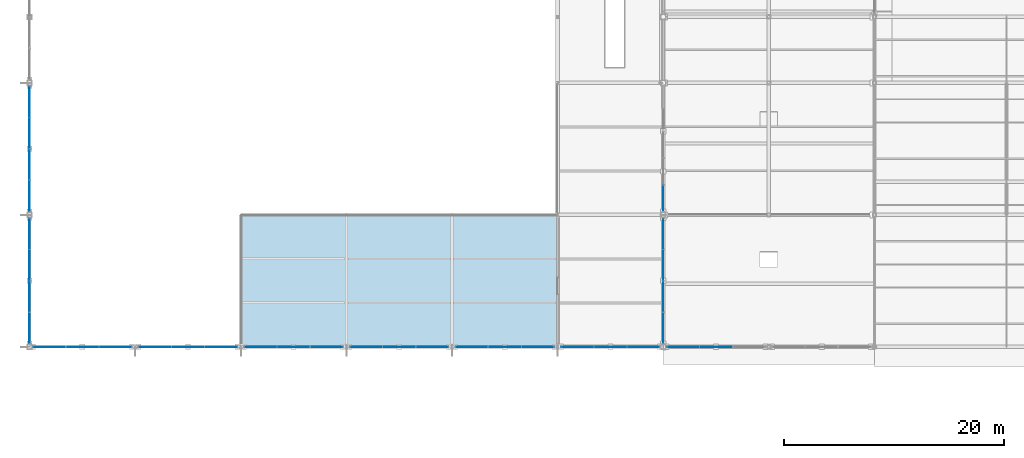
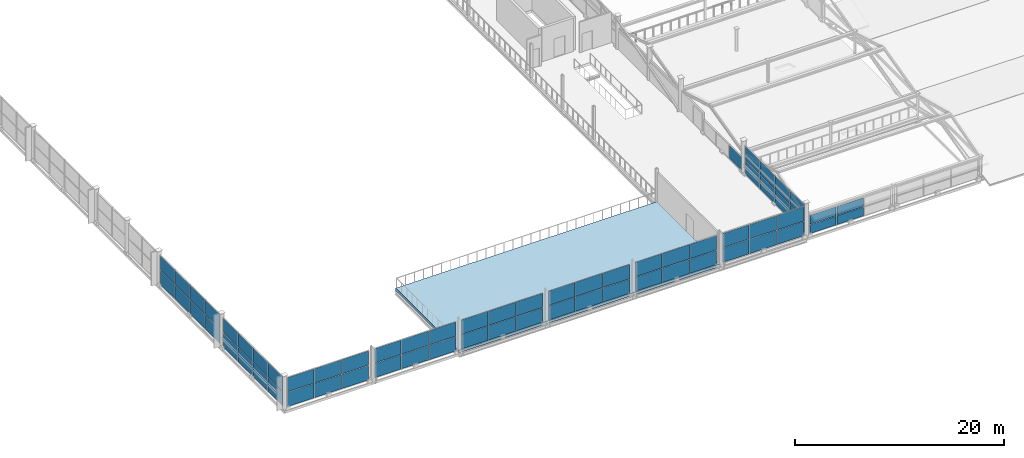
# One storey, part 92 of 117: 65 plates, 1 slab, 11 elements without a shape of their own.
"""IFC4 building model written with IfcOpenShell, lengths in metres."""

import ifcopenshell
import ifcopenshell.guid

model = None  # the IFC model being written
_history = None  # IfcOwnerHistory: only IFC2X3 demands one
_inside = {}  # id of a spatial element -> (the spatial element, [elements in it])
_under = {}  # id of a project, library or spatial element -> (it, [spatial elements below it])
_declared = {}  # id of a project -> (the project, [libraries it declares])
_typed = {}  # id of a type object -> (the type object, [elements of that type])
_made_of = {}  # id of a material, layer set ... -> (it, [elements and type objects made of it])


def new_model(schema):
    """Start an empty IFC model of exactly this schema.

    Asked for "IFC4X3", IfcOpenShell would pick the latest addendum, in which some entities
    have other attributes; the version numbers below select the first issue.
    IFC2X3 requires an IfcOwnerHistory on every rooted entity: one is made here for all.
    """
    global model, _history
    if schema == "IFC4X3":
        model = ifcopenshell.file(schema_version=(4, 3, 0, 0))
    else:
        model = ifcopenshell.file(schema=schema)
    _inside.clear()
    _under.clear()
    _declared.clear()
    _typed.clear()
    _made_of.clear()
    _history = None
    if model.schema == "IFC2X3":
        org = make("IfcOrganization", Name="unknown")
        user = make(
            "IfcPersonAndOrganization",
            ThePerson=make("IfcPerson", FamilyName="unknown"),
            TheOrganization=org,
        )
        app = make(
            "IfcApplication",
            ApplicationDeveloper=org,
            Version="unknown",
            ApplicationFullName="unknown",
            ApplicationIdentifier="unknown",
        )
        _history = make(
            "IfcOwnerHistory",
            OwningUser=user,
            OwningApplication=app,
            ChangeAction="ADDED",
            CreationDate=0,
        )
    return model


def make(cls, **values):
    """One entity of the class cls with the attributes given. An attribute that is None is left unset."""
    return model.create_entity(
        cls, **{name: value for name, value in values.items() if value is not None}
    )


def rooted(cls, **values):
    """An entity with a GlobalId (a new one), such as an element, a storey or a relation."""
    return make(cls, GlobalId=ifcopenshell.guid.new(), OwnerHistory=_history, **values)


def si_unit(unit_type, name, prefix=None):
    """IfcSIUnit, for example si_unit("LENGTHUNIT", "METRE", prefix="MILLI")."""
    return make("IfcSIUnit", UnitType=unit_type, Prefix=prefix, Name=name)


def assignment(units):
    """IfcUnitAssignment: the units of a project."""
    return None if units is None else make("IfcUnitAssignment", Units=units)


def point(xyz):
    """IfcCartesianPoint."""
    return None if xyz is None else make("IfcCartesianPoint", Coordinates=xyz)


def direction(xyz):
    """IfcDirection."""
    return None if xyz is None else make("IfcDirection", DirectionRatios=xyz)


def frame(location, z_axis=None, x_axis=None):
    """IfcAxis2Placement3D, a coordinate frame: its origin and axes. An axis left out is left unset."""
    return make(
        "IfcAxis2Placement3D",
        Location=point(location),
        Axis=direction(z_axis),
        RefDirection=direction(x_axis),
    )


def frame_2d(location, x_axis=None):
    """IfcAxis2Placement2D, a coordinate frame in the plane: its origin and x axis."""
    return make(
        "IfcAxis2Placement2D", Location=point(location), RefDirection=direction(x_axis)
    )


def origin():
    """The frame at (0, 0, 0) with its axes left unset."""
    return frame((0.0, 0.0, 0.0))


def origin_2d():
    """The frame at (0, 0) in the plane with its x axis left unset."""
    return frame_2d((0.0, 0.0))


def place(relative_to, where):
    """IfcLocalPlacement: puts the frame where relative to a parent placement (None: the world)."""
    return make(
        "IfcLocalPlacement", PlacementRelTo=relative_to, RelativePlacement=where
    )


def context(
    kind, dimensions, precision=None, world=None, true_north=None, identifier=None
):
    """IfcGeometricRepresentationContext, for example the 3D "Model" context."""
    return make(
        "IfcGeometricRepresentationContext",
        ContextIdentifier=identifier,
        ContextType=kind,
        CoordinateSpaceDimension=dimensions,
        Precision=precision,
        WorldCoordinateSystem=world,
        TrueNorth=true_north,
    )


def subcontext(parent, identifier, kind, view, scale=None):
    """IfcGeometricRepresentationSubContext, for example "Body" below "Model"."""
    return make(
        "IfcGeometricRepresentationSubContext",
        ContextIdentifier=identifier,
        ContextType=kind,
        ParentContext=parent,
        TargetScale=scale,
        TargetView=view,
    )


def project(units=None, contexts=None):
    """IfcProject with its units and contexts."""
    return rooted(
        "IfcProject",
        Name="project",
        RepresentationContexts=contexts,
        UnitsInContext=assignment(units),
    )


def spatial(cls, under=None, at=None, **own):
    """A site, building, storey or space (cls), placed at a placement, below another one or the project."""
    s = rooted(cls, ObjectPlacement=at, **own)
    if under is not None:
        _under.setdefault(under.id(), (under, []))[1].append(s)
    return s


def polyline(points):
    """IfcPolyline through the points."""
    return make("IfcPolyline", Points=[point(p) for p in points])


def profile(cls, at=None, kind="AREA", **sizes):
    """A parametric profile (cls). Its sizes go by their IFC names, for example OverallWidth=200.0."""
    return make(cls, ProfileType=kind, Position=at, **sizes)


def rectangle(**sizes):
    """IfcRectangleProfileDef."""
    return profile("IfcRectangleProfileDef", **sizes)


def outline(outer, holes=None, kind="AREA"):
    """IfcArbitraryClosedProfileDef: a profile drawn as a closed curve; with holes, ...WithVoids."""
    if holes is None:
        return make("IfcArbitraryClosedProfileDef", ProfileType=kind, OuterCurve=outer)
    return make(
        "IfcArbitraryProfileDefWithVoids",
        ProfileType=kind,
        OuterCurve=outer,
        InnerCurves=holes,
    )


def extrude(swept, where, along, depth):
    """IfcExtrudedAreaSolid: the profile swept, set in the frame where, extruded along a direction by depth."""
    return make(
        "IfcExtrudedAreaSolid",
        SweptArea=swept,
        Position=where,
        ExtrudedDirection=direction(along),
        Depth=depth,
    )


def shape(context_of_items, identifier, shape_type, items):
    """IfcShapeRepresentation: the items that make up one representation, for example the "Body"."""
    return make(
        "IfcShapeRepresentation",
        ContextOfItems=context_of_items,
        RepresentationIdentifier=identifier,
        RepresentationType=shape_type,
        Items=items,
    )


def material(Name=None, Category=None):
    """IfcMaterial."""
    return make("IfcMaterial", Name=Name, Category=Category)


def layer(
    of_material, thickness, ventilated=None, Name=None, Category=None, Priority=None
):
    """IfcMaterialLayer: one layer of a wall or slab, of a material (None: an air gap)."""
    return make(
        "IfcMaterialLayer",
        Material=of_material,
        LayerThickness=thickness,
        IsVentilated=ventilated,
        Name=Name,
        Category=Category,
        Priority=Priority,
    )


def layer_set(layers, Name=None):
    """IfcMaterialLayerSet."""
    return make("IfcMaterialLayerSet", MaterialLayers=layers, LayerSetName=Name)


def made_of(thing, what):
    """Note that an element or type object is made of a material, layer set ...; save() writes the relation."""
    if what is not None:
        _made_of.setdefault(what.id(), (what, []))[1].append(thing)
    return thing


def type_object(cls, material=None, **own):
    """A type object (cls), such as IfcWallType, which elements share."""
    return made_of(rooted(cls, **own), material)


def element(
    cls,
    number,
    at=None,
    inside=None,
    cuts=None,
    type_object=None,
    material=None,
    context=None,
    identifier="Body",
    shape_type=None,
    held_by="IfcProductDefinitionShape",
    body=None,
    shapes=None,
    **own,
):
    """One element of the class cls, such as IfcWall. Its Tag is "e" and its number.

    at: its placement. inside: the storey or other place that contains it. cuts: it is an
    opening in that element (IfcRelVoidsElement). A single representation is given by context,
    identifier, shape_type and body (its items); several are given by shapes. held_by: the class
    of the entity that holds the representations. save() writes the other relations.
    """
    e = rooted(cls, Tag="e%d" % number, ObjectPlacement=at, **own)
    if body is not None:
        shapes = [shape(context, identifier, shape_type, body)]
    if shapes is not None:
        e.Representation = make(held_by, Representations=shapes)
    if inside is not None:
        _inside.setdefault(inside.id(), (inside, []))[1].append(e)
    if cuts is not None:
        rooted(
            "IfcRelVoidsElement", RelatingBuildingElement=cuts, RelatedOpeningElement=e
        )
    if type_object is not None:
        _typed.setdefault(type_object.id(), (type_object, []))[1].append(e)
    return made_of(e, material)


def aggregate(whole, parts):
    """IfcRelAggregates: a whole, such as a stair, and the parts it consists of."""
    return rooted("IfcRelAggregates", RelatingObject=whole, RelatedObjects=parts)


def save(model, path):
    """Write the relations noted so far, then the file.

    IfcRelAggregates (storeys below a building ...), IfcRelContainedInSpatialStructure (elements
    in a storey), IfcRelDefinesByType, IfcRelAssociatesMaterial and IfcRelDeclares: one each for
    every whole, place, type object, material and project.
    """
    for whole, parts in _under.values():
        aggregate(whole, parts)
    for where, things in _inside.values():
        rooted(
            "IfcRelContainedInSpatialStructure",
            RelatedElements=things,
            RelatingStructure=where,
        )
    for kind, things in _typed.values():
        rooted("IfcRelDefinesByType", RelatedObjects=things, RelatingType=kind)
    for what, things in _made_of.values():
        rooted("IfcRelAssociatesMaterial", RelatedObjects=things, RelatingMaterial=what)
    for by, libraries in _declared.values():
        rooted("IfcRelDeclares", RelatingContext=by, RelatedDefinitions=libraries)
    model.write(path)


model = new_model("IFC4")

# Units and contexts
model_context = context("Model", 3, precision=1e-05, world=origin(), true_north=direction((0.0, 1.0)))
body_context = subcontext(model_context, "Body", "Model", "MODEL_VIEW")
ifc_project = project(units=[si_unit("LENGTHUNIT", "METRE"), si_unit("AREAUNIT", "SQUARE_METRE"), si_unit("VOLUMEUNIT", "CUBIC_METRE"), si_unit("PLANEANGLEUNIT", "RADIAN"), si_unit("MASSUNIT", "GRAM", prefix="KILO")], contexts=[model_context])

# Site, building, storey
site_placement = place(None, origin())
site = spatial("IfcSite", under=ifc_project, at=site_placement, CompositionType="ELEMENT")
building_placement = place(site_placement, origin())
building = spatial("IfcBuilding", under=site, at=building_placement, Name="Merenkruunu Market Hall", CompositionType="ELEMENT")
storey_placement = place(building_placement, frame((0.0, 0.0, 10.199951171875)))
storey = spatial("IfcBuildingStorey", under=building, at=storey_placement, Name="L02", CompositionType="ELEMENT", Elevation=10.199951171875)

# Curtain wall, plates
ifc_material_1 = material(Name="Powder-coated aluminium", Category="aluminium")
curtain_wall_type_1 = type_object("IfcCurtainWallType", Name="Glazed Curtain Wall CW13", PredefinedType="USERDEFINED", material=ifc_material_1)
curtain_wall_1_placement = place(storey_placement, origin())
curtain_wall_1 = element("IfcCurtainWall", 1, at=curtain_wall_1_placement, inside=storey, type_object=curtain_wall_type_1, Name="CW-L02-CWM02-003", ObjectType="GLAZED_FACADE", PredefinedType="USERDEFINED")
ifc_material_2 = material(Name="Triple low-E insulated glass", Category="glass")
ifc_layer_1 = layer(ifc_material_2, 0.035888671875)
ifc_layer_set_1 = layer_set([ifc_layer_1], Name="Triple low-E insulated glass")
plate_type_1 = type_object("IfcPlateType", Name="Curtain Wall Glazing Panel CWP05", PredefinedType="CURTAIN_PANEL", material=ifc_layer_set_1)
plate_1_placement = place(storey_placement, frame((0.0, 17.324951171875, 0.06005859375), z_axis=(0.0, 0.0, 1.0), x_axis=(0.0, 1.0, 0.0)))
plate_1 = element("IfcPlate", 2, at=plate_1_placement, type_object=plate_type_1, Name="CW13 panel 1.1", PredefinedType="CURTAIN_PANEL", context=body_context, shape_type="SweptSolid", body=[
    extrude(rectangle(XDim=2.77001953125, YDim=0.035888671875, at=origin_2d()), origin(), (0.0, 0.0, 1.0), 1.659912109375),
])
plate_2_placement = place(storey_placement, frame((0.0, 17.324951171875, 1.7802734375), z_axis=(0.0, 0.0, 1.0), x_axis=(0.0, 1.0, 0.0)))
plate_2 = element("IfcPlate", 3, at=plate_2_placement, type_object=plate_type_1, Name="CW13 panel 1.2", PredefinedType="CURTAIN_PANEL", context=body_context, shape_type="SweptSolid", body=[
    extrude(rectangle(XDim=2.77001953125, YDim=0.035888671875, at=origin_2d()), origin(), (0.0, 0.0, 1.0), 1.659912109375),
])
plate_3_placement = place(storey_placement, frame((0.0, 20.169921875, 0.06005859375), z_axis=(0.0, 0.0, 1.0), x_axis=(0.0, 1.0, 0.0)))
plate_3 = element("IfcPlate", 4, at=plate_3_placement, type_object=plate_type_1, Name="CW13 panel 2.1", PredefinedType="CURTAIN_PANEL", context=body_context, shape_type="SweptSolid", body=[
    extrude(rectangle(XDim=2.800048828125, YDim=0.035888671875, at=origin_2d()), origin(), (0.0, 0.0, 1.0), 1.659912109375),
])
plate_4_placement = place(storey_placement, frame((0.0, 20.169921875, 1.7802734375), z_axis=(0.0, 0.0, 1.0), x_axis=(0.0, 1.0, 0.0)))
plate_4 = element("IfcPlate", 5, at=plate_4_placement, type_object=plate_type_1, Name="CW13 panel 2.2", PredefinedType="CURTAIN_PANEL", context=body_context, shape_type="SweptSolid", body=[
    extrude(rectangle(XDim=2.800048828125, YDim=0.035888671875, at=origin_2d()), origin(), (0.0, 0.0, 1.0), 1.659912109375),
])
plate_5_placement = place(storey_placement, frame((0.0, 23.030029296875, 0.06005859375), z_axis=(0.0, 0.0, 1.0), x_axis=(0.0, 1.0, 0.0)))
plate_5 = element("IfcPlate", 6, at=plate_5_placement, type_object=plate_type_1, Name="CW13 panel 3.1", PredefinedType="CURTAIN_PANEL", context=body_context, shape_type="SweptSolid", body=[
    extrude(rectangle(XDim=2.800048828125, YDim=0.035888671875, at=origin_2d()), origin(), (0.0, 0.0, 1.0), 1.659912109375),
])
plate_6_placement = place(storey_placement, frame((0.0, 23.030029296875, 1.7802734375), z_axis=(0.0, 0.0, 1.0), x_axis=(0.0, 1.0, 0.0)))
plate_6 = element("IfcPlate", 7, at=plate_6_placement, type_object=plate_type_1, Name="CW13 panel 3.2", PredefinedType="CURTAIN_PANEL", context=body_context, shape_type="SweptSolid", body=[
    extrude(rectangle(XDim=2.800048828125, YDim=0.035888671875, at=origin_2d()), origin(), (0.0, 0.0, 1.0), 1.659912109375),
])
plate_7_placement = place(storey_placement, frame((0.0, 25.875, 0.06005859375), z_axis=(0.0, 0.0, 1.0), x_axis=(0.0, 1.0, 0.0)))
plate_7 = element("IfcPlate", 8, at=plate_7_placement, type_object=plate_type_1, Name="CW13 panel 4.1", PredefinedType="CURTAIN_PANEL", context=body_context, shape_type="SweptSolid", body=[
    extrude(rectangle(XDim=2.77001953125, YDim=0.035888671875, at=origin_2d()), origin(), (0.0, 0.0, 1.0), 1.659912109375),
])
plate_8_placement = place(storey_placement, frame((0.0, 25.875, 1.7802734375), z_axis=(0.0, 0.0, 1.0), x_axis=(0.0, 1.0, 0.0)))
plate_8 = element("IfcPlate", 9, at=plate_8_placement, type_object=plate_type_1, Name="CW13 panel 4.2", PredefinedType="CURTAIN_PANEL", context=body_context, shape_type="SweptSolid", body=[
    extrude(rectangle(XDim=2.77001953125, YDim=0.035888671875, at=origin_2d()), origin(), (0.0, 0.0, 1.0), 1.659912109375),
])
aggregate(curtain_wall_1, [plate_1, plate_2, plate_3, plate_4, plate_5, plate_6, plate_7, plate_8])

curtain_wall_2_placement = place(storey_placement, origin())
curtain_wall_2 = element("IfcCurtainWall", 10, at=curtain_wall_2_placement, inside=storey, type_object=curtain_wall_type_1, Name="CW-L02-CWM02-006", ObjectType="GLAZED_FACADE", PredefinedType="USERDEFINED")
plate_9_placement = place(storey_placement, frame((0.0, 29.324951171875, 0.06005859375), z_axis=(0.0, 0.0, 1.0), x_axis=(0.0, 1.0, 0.0)))
plate_9 = element("IfcPlate", 11, at=plate_9_placement, type_object=plate_type_1, Name="CW13 panel 1.1", PredefinedType="CURTAIN_PANEL", context=body_context, shape_type="SweptSolid", body=[
    extrude(rectangle(XDim=2.77001953125, YDim=0.035888671875, at=origin_2d()), origin(), (0.0, 0.0, 1.0), 1.659912109375),
])
plate_10_placement = place(storey_placement, frame((0.0, 29.324951171875, 1.7802734375), z_axis=(0.0, 0.0, 1.0), x_axis=(0.0, 1.0, 0.0)))
plate_10 = element("IfcPlate", 12, at=plate_10_placement, type_object=plate_type_1, Name="CW13 panel 1.2", PredefinedType="CURTAIN_PANEL", context=body_context, shape_type="SweptSolid", body=[
    extrude(rectangle(XDim=2.77001953125, YDim=0.035888671875, at=origin_2d()), origin(), (0.0, 0.0, 1.0), 1.659912109375),
])
plate_11_placement = place(storey_placement, frame((0.0, 32.169921875, 0.06005859375), z_axis=(0.0, 0.0, 1.0), x_axis=(0.0, 1.0, 0.0)))
plate_11 = element("IfcPlate", 13, at=plate_11_placement, type_object=plate_type_1, Name="CW13 panel 2.1", PredefinedType="CURTAIN_PANEL", context=body_context, shape_type="SweptSolid", body=[
    extrude(rectangle(XDim=2.800048828125, YDim=0.035888671875, at=origin_2d()), origin(), (0.0, 0.0, 1.0), 1.659912109375),
])
plate_12_placement = place(storey_placement, frame((0.0, 32.169921875, 1.7802734375), z_axis=(0.0, 0.0, 1.0), x_axis=(0.0, 1.0, 0.0)))
plate_12 = element("IfcPlate", 14, at=plate_12_placement, type_object=plate_type_1, Name="CW13 panel 2.2", PredefinedType="CURTAIN_PANEL", context=body_context, shape_type="SweptSolid", body=[
    extrude(rectangle(XDim=2.800048828125, YDim=0.035888671875, at=origin_2d()), origin(), (0.0, 0.0, 1.0), 1.659912109375),
])
plate_13_placement = place(storey_placement, frame((0.0, 35.030029296875, 0.06005859375), z_axis=(0.0, 0.0, 1.0), x_axis=(0.0, 1.0, 0.0)))
plate_13 = element("IfcPlate", 15, at=plate_13_placement, type_object=plate_type_1, Name="CW13 panel 3.1", PredefinedType="CURTAIN_PANEL", context=body_context, shape_type="SweptSolid", body=[
    extrude(rectangle(XDim=2.800048828125, YDim=0.035888671875, at=origin_2d()), origin(), (0.0, 0.0, 1.0), 1.659912109375),
])
plate_14_placement = place(storey_placement, frame((0.0, 35.030029296875, 1.7802734375), z_axis=(0.0, 0.0, 1.0), x_axis=(0.0, 1.0, 0.0)))
plate_14 = element("IfcPlate", 16, at=plate_14_placement, type_object=plate_type_1, Name="CW13 panel 3.2", PredefinedType="CURTAIN_PANEL", context=body_context, shape_type="SweptSolid", body=[
    extrude(rectangle(XDim=2.800048828125, YDim=0.035888671875, at=origin_2d()), origin(), (0.0, 0.0, 1.0), 1.659912109375),
])
plate_15_placement = place(storey_placement, frame((0.0, 37.875, 0.06005859375), z_axis=(0.0, 0.0, 1.0), x_axis=(0.0, 1.0, 0.0)))
plate_15 = element("IfcPlate", 17, at=plate_15_placement, type_object=plate_type_1, Name="CW13 panel 4.1", PredefinedType="CURTAIN_PANEL", context=body_context, shape_type="SweptSolid", body=[
    extrude(rectangle(XDim=2.77001953125, YDim=0.035888671875, at=origin_2d()), origin(), (0.0, 0.0, 1.0), 1.659912109375),
])
plate_16_placement = place(storey_placement, frame((0.0, 37.875, 1.7802734375), z_axis=(0.0, 0.0, 1.0), x_axis=(0.0, 1.0, 0.0)))
plate_16 = element("IfcPlate", 18, at=plate_16_placement, type_object=plate_type_1, Name="CW13 panel 4.2", PredefinedType="CURTAIN_PANEL", context=body_context, shape_type="SweptSolid", body=[
    extrude(rectangle(XDim=2.77001953125, YDim=0.035888671875, at=origin_2d()), origin(), (0.0, 0.0, 1.0), 1.659912109375),
])
aggregate(curtain_wall_2, [plate_9, plate_10, plate_11, plate_12, plate_13, plate_14, plate_15, plate_16])

curtain_wall_type_2 = type_object("IfcCurtainWallType", Name="Glazed Curtain Wall CW10", PredefinedType="USERDEFINED", material=ifc_material_1)
curtain_wall_3_placement = place(storey_placement, origin())
curtain_wall_3 = element("IfcCurtainWall", 19, at=curtain_wall_3_placement, inside=storey, type_object=curtain_wall_type_2, Name="CW-L02-CWM02-021", ObjectType="GLAZED_FACADE", PredefinedType="USERDEFINED")
plate_17_placement = place(storey_placement, frame((7.79833984375, 15.60009765625, 0.06005859375), z_axis=(0.0, 0.0, 1.0), x_axis=(-1.0, 0.0, 0.0)))
plate_17 = element("IfcPlate", 20, at=plate_17_placement, type_object=plate_type_1, Name="CW10 panel 1.1", PredefinedType="CURTAIN_PANEL", context=body_context, shape_type="SweptSolid", body=[
    extrude(rectangle(XDim=2.92333984375, YDim=0.035888671875, at=origin_2d()), origin(), (0.0, 0.0, 1.0), 1.659912109375),
])
plate_18_placement = place(storey_placement, frame((7.79833984375, 15.60009765625, 1.7802734375), z_axis=(0.0, 0.0, 1.0), x_axis=(-1.0, 0.0, 0.0)))
plate_18 = element("IfcPlate", 21, at=plate_18_placement, type_object=plate_type_1, Name="CW10 panel 1.2", PredefinedType="CURTAIN_PANEL", context=body_context, shape_type="SweptSolid", body=[
    extrude(rectangle(XDim=2.92333984375, YDim=0.035888671875, at=origin_2d()), origin(), (0.0, 0.0, 1.0), 1.659912109375),
])
plate_19_placement = place(storey_placement, frame((4.800048828125, 15.60009765625, 0.06005859375), z_axis=(0.0, 0.0, 1.0), x_axis=(-1.0, 0.0, 0.0)))
plate_19 = element("IfcPlate", 22, at=plate_19_placement, type_object=plate_type_1, Name="CW10 panel 2.1", PredefinedType="CURTAIN_PANEL", context=body_context, shape_type="SweptSolid", body=[
    extrude(rectangle(XDim=2.953369140625, YDim=0.035888671875, at=origin_2d()), origin(), (0.0, 0.0, 1.0), 1.659912109375),
])
plate_20_placement = place(storey_placement, frame((4.800048828125, 15.60009765625, 1.7802734375), z_axis=(0.0, 0.0, 1.0), x_axis=(-1.0, 0.0, 0.0)))
plate_20 = element("IfcPlate", 23, at=plate_20_placement, type_object=plate_type_1, Name="CW10 panel 2.2", PredefinedType="CURTAIN_PANEL", context=body_context, shape_type="SweptSolid", body=[
    extrude(rectangle(XDim=2.953369140625, YDim=0.035888671875, at=origin_2d()), origin(), (0.0, 0.0, 1.0), 1.659912109375),
])
plate_21_placement = place(storey_placement, frame((1.8017578125, 15.60009765625, 0.06005859375), z_axis=(0.0, 0.0, 1.0), x_axis=(-1.0, 0.0, 0.0)))
plate_21 = element("IfcPlate", 24, at=plate_21_placement, type_object=plate_type_1, Name="CW10 panel 3.1", PredefinedType="CURTAIN_PANEL", context=body_context, shape_type="SweptSolid", body=[
    extrude(rectangle(XDim=2.92333984375, YDim=0.035888671875, at=origin_2d()), origin(), (0.0, 0.0, 1.0), 1.659912109375),
])
plate_22_placement = place(storey_placement, frame((1.8017578125, 15.60009765625, 1.7802734375), z_axis=(0.0, 0.0, 1.0), x_axis=(-1.0, 0.0, 0.0)))
plate_22 = element("IfcPlate", 25, at=plate_22_placement, type_object=plate_type_1, Name="CW10 panel 3.2", PredefinedType="CURTAIN_PANEL", context=body_context, shape_type="SweptSolid", body=[
    extrude(rectangle(XDim=2.92333984375, YDim=0.035888671875, at=origin_2d()), origin(), (0.0, 0.0, 1.0), 1.659912109375),
])
aggregate(curtain_wall_3, [plate_17, plate_18, plate_19, plate_20, plate_21, plate_22])

curtain_wall_4_placement = place(storey_placement, origin())
curtain_wall_4 = element("IfcCurtainWall", 26, at=curtain_wall_4_placement, inside=storey, type_object=curtain_wall_type_2, Name="CW-L02-CWM02-024", ObjectType="GLAZED_FACADE", PredefinedType="USERDEFINED")
plate_23_placement = place(storey_placement, frame((17.3984375, 15.60009765625, 0.06005859375), z_axis=(0.0, 0.0, 1.0), x_axis=(-1.0, 0.0, 0.0)))
plate_23 = element("IfcPlate", 27, at=plate_23_placement, type_object=plate_type_1, Name="CW10 panel 1.1", PredefinedType="CURTAIN_PANEL", context=body_context, shape_type="SweptSolid", body=[
    extrude(rectangle(XDim=2.92333984375, YDim=0.035888671875, at=origin_2d()), origin(), (0.0, 0.0, 1.0), 1.659912109375),
])
plate_24_placement = place(storey_placement, frame((17.3984375, 15.60009765625, 1.7802734375), z_axis=(0.0, 0.0, 1.0), x_axis=(-1.0, 0.0, 0.0)))
plate_24 = element("IfcPlate", 28, at=plate_24_placement, type_object=plate_type_1, Name="CW10 panel 1.2", PredefinedType="CURTAIN_PANEL", context=body_context, shape_type="SweptSolid", body=[
    extrude(rectangle(XDim=2.92333984375, YDim=0.035888671875, at=origin_2d()), origin(), (0.0, 0.0, 1.0), 1.659912109375),
])
plate_25_placement = place(storey_placement, frame((14.39990234375, 15.60009765625, 0.06005859375), z_axis=(0.0, 0.0, 1.0), x_axis=(-1.0, 0.0, 0.0)))
plate_25 = element("IfcPlate", 29, at=plate_25_placement, type_object=plate_type_1, Name="CW10 panel 2.1", PredefinedType="CURTAIN_PANEL", context=body_context, shape_type="SweptSolid", body=[
    extrude(rectangle(XDim=2.953369140625, YDim=0.035888671875, at=origin_2d()), origin(), (0.0, 0.0, 1.0), 1.659912109375),
])
plate_26_placement = place(storey_placement, frame((14.39990234375, 15.60009765625, 1.7802734375), z_axis=(0.0, 0.0, 1.0), x_axis=(-1.0, 0.0, 0.0)))
plate_26 = element("IfcPlate", 30, at=plate_26_placement, type_object=plate_type_1, Name="CW10 panel 2.2", PredefinedType="CURTAIN_PANEL", context=body_context, shape_type="SweptSolid", body=[
    extrude(rectangle(XDim=2.953369140625, YDim=0.035888671875, at=origin_2d()), origin(), (0.0, 0.0, 1.0), 1.659912109375),
])
plate_27_placement = place(storey_placement, frame((11.401611328125, 15.60009765625, 0.06005859375), z_axis=(0.0, 0.0, 1.0), x_axis=(-1.0, 0.0, 0.0)))
plate_27 = element("IfcPlate", 31, at=plate_27_placement, type_object=plate_type_1, Name="CW10 panel 3.1", PredefinedType="CURTAIN_PANEL", context=body_context, shape_type="SweptSolid", body=[
    extrude(rectangle(XDim=2.92333984375, YDim=0.035888671875, at=origin_2d()), origin(), (0.0, 0.0, 1.0), 1.659912109375),
])
plate_28_placement = place(storey_placement, frame((11.401611328125, 15.60009765625, 1.7802734375), z_axis=(0.0, 0.0, 1.0), x_axis=(-1.0, 0.0, 0.0)))
plate_28 = element("IfcPlate", 32, at=plate_28_placement, type_object=plate_type_1, Name="CW10 panel 3.2", PredefinedType="CURTAIN_PANEL", context=body_context, shape_type="SweptSolid", body=[
    extrude(rectangle(XDim=2.92333984375, YDim=0.035888671875, at=origin_2d()), origin(), (0.0, 0.0, 1.0), 1.659912109375),
])
aggregate(curtain_wall_4, [plate_23, plate_24, plate_25, plate_26, plate_27, plate_28])

curtain_wall_5_placement = place(storey_placement, origin())
curtain_wall_5 = element("IfcCurtainWall", 33, at=curtain_wall_5_placement, inside=storey, type_object=curtain_wall_type_2, Name="CW-L02-CWM02-027", ObjectType="GLAZED_FACADE", PredefinedType="USERDEFINED")
plate_29_placement = place(storey_placement, frame((26.998291015625, 15.60009765625, 0.06005859375), z_axis=(0.0, 0.0, 1.0), x_axis=(-1.0, 0.0, 0.0)))
plate_29 = element("IfcPlate", 34, at=plate_29_placement, type_object=plate_type_1, Name="CW10 panel 1.1", PredefinedType="CURTAIN_PANEL", context=body_context, shape_type="SweptSolid", body=[
    extrude(rectangle(XDim=2.92333984375, YDim=0.035888671875, at=origin_2d()), origin(), (0.0, 0.0, 1.0), 1.659912109375),
])
plate_30_placement = place(storey_placement, frame((26.998291015625, 15.60009765625, 1.7802734375), z_axis=(0.0, 0.0, 1.0), x_axis=(-1.0, 0.0, 0.0)))
plate_30 = element("IfcPlate", 35, at=plate_30_placement, type_object=plate_type_1, Name="CW10 panel 1.2", PredefinedType="CURTAIN_PANEL", context=body_context, shape_type="SweptSolid", body=[
    extrude(rectangle(XDim=2.92333984375, YDim=0.035888671875, at=origin_2d()), origin(), (0.0, 0.0, 1.0), 1.659912109375),
])
plate_31_placement = place(storey_placement, frame((24.0, 15.60009765625, 0.06005859375), z_axis=(0.0, 0.0, 1.0), x_axis=(-1.0, 0.0, 0.0)))
plate_31 = element("IfcPlate", 36, at=plate_31_placement, type_object=plate_type_1, Name="CW10 panel 2.1", PredefinedType="CURTAIN_PANEL", context=body_context, shape_type="SweptSolid", body=[
    extrude(rectangle(XDim=2.953369140625, YDim=0.035888671875, at=origin_2d()), origin(), (0.0, 0.0, 1.0), 1.659912109375),
])
plate_32_placement = place(storey_placement, frame((24.0, 15.60009765625, 1.7802734375), z_axis=(0.0, 0.0, 1.0), x_axis=(-1.0, 0.0, 0.0)))
plate_32 = element("IfcPlate", 37, at=plate_32_placement, type_object=plate_type_1, Name="CW10 panel 2.2", PredefinedType="CURTAIN_PANEL", context=body_context, shape_type="SweptSolid", body=[
    extrude(rectangle(XDim=2.953369140625, YDim=0.035888671875, at=origin_2d()), origin(), (0.0, 0.0, 1.0), 1.659912109375),
])
plate_33_placement = place(storey_placement, frame((21.001708984375, 15.60009765625, 0.06005859375), z_axis=(0.0, 0.0, 1.0), x_axis=(-1.0, 0.0, 0.0)))
plate_33 = element("IfcPlate", 38, at=plate_33_placement, type_object=plate_type_1, Name="CW10 panel 3.1", PredefinedType="CURTAIN_PANEL", context=body_context, shape_type="SweptSolid", body=[
    extrude(rectangle(XDim=2.92333984375, YDim=0.035888671875, at=origin_2d()), origin(), (0.0, 0.0, 1.0), 1.659912109375),
])
plate_34_placement = place(storey_placement, frame((21.001708984375, 15.60009765625, 1.7802734375), z_axis=(0.0, 0.0, 1.0), x_axis=(-1.0, 0.0, 0.0)))
plate_34 = element("IfcPlate", 39, at=plate_34_placement, type_object=plate_type_1, Name="CW10 panel 3.2", PredefinedType="CURTAIN_PANEL", context=body_context, shape_type="SweptSolid", body=[
    extrude(rectangle(XDim=2.92333984375, YDim=0.035888671875, at=origin_2d()), origin(), (0.0, 0.0, 1.0), 1.659912109375),
])
aggregate(curtain_wall_5, [plate_29, plate_30, plate_31, plate_32, plate_33, plate_34])

curtain_wall_6_placement = place(storey_placement, origin())
curtain_wall_6 = element("IfcCurtainWall", 40, at=curtain_wall_6_placement, inside=storey, type_object=curtain_wall_type_2, Name="CW-L02-CWM02-030", ObjectType="GLAZED_FACADE", PredefinedType="USERDEFINED")
plate_35_placement = place(storey_placement, frame((36.598388671875, 15.60009765625, 0.06005859375), z_axis=(0.0, 0.0, 1.0), x_axis=(-1.0, 0.0, 0.0)))
plate_35 = element("IfcPlate", 41, at=plate_35_placement, type_object=plate_type_1, Name="CW10 panel 1.1", PredefinedType="CURTAIN_PANEL", context=body_context, shape_type="SweptSolid", body=[
    extrude(rectangle(XDim=2.92333984375, YDim=0.035888671875, at=origin_2d()), origin(), (0.0, 0.0, 1.0), 1.659912109375),
])
plate_36_placement = place(storey_placement, frame((36.598388671875, 15.60009765625, 1.7802734375), z_axis=(0.0, 0.0, 1.0), x_axis=(-1.0, 0.0, 0.0)))
plate_36 = element("IfcPlate", 42, at=plate_36_placement, type_object=plate_type_1, Name="CW10 panel 1.2", PredefinedType="CURTAIN_PANEL", context=body_context, shape_type="SweptSolid", body=[
    extrude(rectangle(XDim=2.92333984375, YDim=0.035888671875, at=origin_2d()), origin(), (0.0, 0.0, 1.0), 1.659912109375),
])
plate_37_placement = place(storey_placement, frame((33.60009765625, 15.60009765625, 0.06005859375), z_axis=(0.0, 0.0, 1.0), x_axis=(-1.0, 0.0, 0.0)))
plate_37 = element("IfcPlate", 43, at=plate_37_placement, type_object=plate_type_1, Name="CW10 panel 2.1", PredefinedType="CURTAIN_PANEL", context=body_context, shape_type="SweptSolid", body=[
    extrude(rectangle(XDim=2.953369140625, YDim=0.035888671875, at=origin_2d()), origin(), (0.0, 0.0, 1.0), 1.659912109375),
])
plate_38_placement = place(storey_placement, frame((33.60009765625, 15.60009765625, 1.7802734375), z_axis=(0.0, 0.0, 1.0), x_axis=(-1.0, 0.0, 0.0)))
plate_38 = element("IfcPlate", 44, at=plate_38_placement, type_object=plate_type_1, Name="CW10 panel 2.2", PredefinedType="CURTAIN_PANEL", context=body_context, shape_type="SweptSolid", body=[
    extrude(rectangle(XDim=2.953369140625, YDim=0.035888671875, at=origin_2d()), origin(), (0.0, 0.0, 1.0), 1.659912109375),
])
plate_39_placement = place(storey_placement, frame((30.6015625, 15.60009765625, 0.06005859375), z_axis=(0.0, 0.0, 1.0), x_axis=(-1.0, 0.0, 0.0)))
plate_39 = element("IfcPlate", 45, at=plate_39_placement, type_object=plate_type_1, Name="CW10 panel 3.1", PredefinedType="CURTAIN_PANEL", context=body_context, shape_type="SweptSolid", body=[
    extrude(rectangle(XDim=2.92333984375, YDim=0.035888671875, at=origin_2d()), origin(), (0.0, 0.0, 1.0), 1.659912109375),
])
plate_40_placement = place(storey_placement, frame((30.6015625, 15.60009765625, 1.7802734375), z_axis=(0.0, 0.0, 1.0), x_axis=(-1.0, 0.0, 0.0)))
plate_40 = element("IfcPlate", 46, at=plate_40_placement, type_object=plate_type_1, Name="CW10 panel 3.2", PredefinedType="CURTAIN_PANEL", context=body_context, shape_type="SweptSolid", body=[
    extrude(rectangle(XDim=2.92333984375, YDim=0.035888671875, at=origin_2d()), origin(), (0.0, 0.0, 1.0), 1.659912109375),
])
aggregate(curtain_wall_6, [plate_35, plate_36, plate_37, plate_38, plate_39, plate_40])

curtain_wall_7_placement = place(storey_placement, origin())
curtain_wall_7 = element("IfcCurtainWall", 47, at=curtain_wall_7_placement, inside=storey, type_object=curtain_wall_type_2, Name="CW-L02-CWM02-033", ObjectType="GLAZED_FACADE", PredefinedType="USERDEFINED")
plate_41_placement = place(storey_placement, frame((46.1982421875, 15.60009765625, 0.06005859375), z_axis=(0.0, 0.0, 1.0), x_axis=(-1.0, 0.0, 0.0)))
plate_41 = element("IfcPlate", 48, at=plate_41_placement, type_object=plate_type_1, Name="CW10 panel 1.1", PredefinedType="CURTAIN_PANEL", context=body_context, shape_type="SweptSolid", body=[
    extrude(rectangle(XDim=2.92333984375, YDim=0.035888671875, at=origin_2d()), origin(), (0.0, 0.0, 1.0), 1.659912109375),
])
plate_42_placement = place(storey_placement, frame((46.1982421875, 15.60009765625, 1.7802734375), z_axis=(0.0, 0.0, 1.0), x_axis=(-1.0, 0.0, 0.0)))
plate_42 = element("IfcPlate", 49, at=plate_42_placement, type_object=plate_type_1, Name="CW10 panel 1.2", PredefinedType="CURTAIN_PANEL", context=body_context, shape_type="SweptSolid", body=[
    extrude(rectangle(XDim=2.92333984375, YDim=0.035888671875, at=origin_2d()), origin(), (0.0, 0.0, 1.0), 1.659912109375),
])
plate_43_placement = place(storey_placement, frame((43.199951171875, 15.60009765625, 0.06005859375), z_axis=(0.0, 0.0, 1.0), x_axis=(-1.0, 0.0, 0.0)))
plate_43 = element("IfcPlate", 50, at=plate_43_placement, type_object=plate_type_1, Name="CW10 panel 2.1", PredefinedType="CURTAIN_PANEL", context=body_context, shape_type="SweptSolid", body=[
    extrude(rectangle(XDim=2.953369140625, YDim=0.035888671875, at=origin_2d()), origin(), (0.0, 0.0, 1.0), 1.659912109375),
])
plate_44_placement = place(storey_placement, frame((43.199951171875, 15.60009765625, 1.7802734375), z_axis=(0.0, 0.0, 1.0), x_axis=(-1.0, 0.0, 0.0)))
plate_44 = element("IfcPlate", 51, at=plate_44_placement, type_object=plate_type_1, Name="CW10 panel 2.2", PredefinedType="CURTAIN_PANEL", context=body_context, shape_type="SweptSolid", body=[
    extrude(rectangle(XDim=2.953369140625, YDim=0.035888671875, at=origin_2d()), origin(), (0.0, 0.0, 1.0), 1.659912109375),
])
plate_45_placement = place(storey_placement, frame((40.20166015625, 15.60009765625, 0.06005859375), z_axis=(0.0, 0.0, 1.0), x_axis=(-1.0, 0.0, 0.0)))
plate_45 = element("IfcPlate", 52, at=plate_45_placement, type_object=plate_type_1, Name="CW10 panel 3.1", PredefinedType="CURTAIN_PANEL", context=body_context, shape_type="SweptSolid", body=[
    extrude(rectangle(XDim=2.92333984375, YDim=0.035888671875, at=origin_2d()), origin(), (0.0, 0.0, 1.0), 1.659912109375),
])
plate_46_placement = place(storey_placement, frame((40.20166015625, 15.60009765625, 1.7802734375), z_axis=(0.0, 0.0, 1.0), x_axis=(-1.0, 0.0, 0.0)))
plate_46 = element("IfcPlate", 53, at=plate_46_placement, type_object=plate_type_1, Name="CW10 panel 3.2", PredefinedType="CURTAIN_PANEL", context=body_context, shape_type="SweptSolid", body=[
    extrude(rectangle(XDim=2.92333984375, YDim=0.035888671875, at=origin_2d()), origin(), (0.0, 0.0, 1.0), 1.659912109375),
])
aggregate(curtain_wall_7, [plate_41, plate_42, plate_43, plate_44, plate_45, plate_46])

curtain_wall_8_placement = place(storey_placement, origin())
curtain_wall_8 = element("IfcCurtainWall", 54, at=curtain_wall_8_placement, inside=storey, type_object=curtain_wall_type_2, Name="CW-L02-CWM02-036", ObjectType="GLAZED_FACADE", PredefinedType="USERDEFINED")
plate_47_placement = place(storey_placement, frame((55.79833984375, 15.60009765625, 0.06005859375), z_axis=(0.0, 0.0, 1.0), x_axis=(-1.0, 0.0, 0.0)))
plate_47 = element("IfcPlate", 55, at=plate_47_placement, type_object=plate_type_1, Name="CW10 panel 1.1", PredefinedType="CURTAIN_PANEL", context=body_context, shape_type="SweptSolid", body=[
    extrude(rectangle(XDim=2.92333984375, YDim=0.035888671875, at=origin_2d()), origin(), (0.0, 0.0, 1.0), 1.659912109375),
])
plate_48_placement = place(storey_placement, frame((55.79833984375, 15.60009765625, 1.7802734375), z_axis=(0.0, 0.0, 1.0), x_axis=(-1.0, 0.0, 0.0)))
plate_48 = element("IfcPlate", 56, at=plate_48_placement, type_object=plate_type_1, Name="CW10 panel 1.2", PredefinedType="CURTAIN_PANEL", context=body_context, shape_type="SweptSolid", body=[
    extrude(rectangle(XDim=2.92333984375, YDim=0.035888671875, at=origin_2d()), origin(), (0.0, 0.0, 1.0), 1.659912109375),
])
plate_49_placement = place(storey_placement, frame((52.800048828125, 15.60009765625, 0.06005859375), z_axis=(0.0, 0.0, 1.0), x_axis=(-1.0, 0.0, 0.0)))
plate_49 = element("IfcPlate", 57, at=plate_49_placement, type_object=plate_type_1, Name="CW10 panel 2.1", PredefinedType="CURTAIN_PANEL", context=body_context, shape_type="SweptSolid", body=[
    extrude(rectangle(XDim=2.953369140625, YDim=0.035888671875, at=origin_2d()), origin(), (0.0, 0.0, 1.0), 1.659912109375),
])
plate_50_placement = place(storey_placement, frame((52.800048828125, 15.60009765625, 1.7802734375), z_axis=(0.0, 0.0, 1.0), x_axis=(-1.0, 0.0, 0.0)))
plate_50 = element("IfcPlate", 58, at=plate_50_placement, type_object=plate_type_1, Name="CW10 panel 2.2", PredefinedType="CURTAIN_PANEL", context=body_context, shape_type="SweptSolid", body=[
    extrude(rectangle(XDim=2.953369140625, YDim=0.035888671875, at=origin_2d()), origin(), (0.0, 0.0, 1.0), 1.659912109375),
])
plate_51_placement = place(storey_placement, frame((49.8017578125, 15.60009765625, 0.06005859375), z_axis=(0.0, 0.0, 1.0), x_axis=(-1.0, 0.0, 0.0)))
plate_51 = element("IfcPlate", 59, at=plate_51_placement, type_object=plate_type_1, Name="CW10 panel 3.1", PredefinedType="CURTAIN_PANEL", context=body_context, shape_type="SweptSolid", body=[
    extrude(rectangle(XDim=2.92333984375, YDim=0.035888671875, at=origin_2d()), origin(), (0.0, 0.0, 1.0), 1.659912109375),
])
plate_52_placement = place(storey_placement, frame((49.8017578125, 15.60009765625, 1.7802734375), z_axis=(0.0, 0.0, 1.0), x_axis=(-1.0, 0.0, 0.0)))
plate_52 = element("IfcPlate", 60, at=plate_52_placement, type_object=plate_type_1, Name="CW10 panel 3.2", PredefinedType="CURTAIN_PANEL", context=body_context, shape_type="SweptSolid", body=[
    extrude(rectangle(XDim=2.92333984375, YDim=0.035888671875, at=origin_2d()), origin(), (0.0, 0.0, 1.0), 1.659912109375),
])
aggregate(curtain_wall_8, [plate_47, plate_48, plate_49, plate_50, plate_51, plate_52])

curtain_wall_9_placement = place(storey_placement, origin())
curtain_wall_9 = element("IfcCurtainWall", 61, at=curtain_wall_9_placement, inside=storey, type_object=curtain_wall_type_1, Name="CW-L02-CWM02-123", ObjectType="GLAZED_FACADE", PredefinedType="USERDEFINED")
ifc_layer_2 = layer(ifc_material_2, 0.035888671875)
ifc_layer_set_2 = layer_set([ifc_layer_2], Name="Triple low-E insulated glass")
plate_type_2 = type_object("IfcPlateType", Name="Curtain Wall Glazing Panel CWP09", PredefinedType="CURTAIN_PANEL", material=ifc_layer_set_2)
plate_53_placement = place(storey_placement, frame((57.60009765625, 17.324951171875, 0.06005859375), z_axis=(0.0, 0.0, 1.0), x_axis=(0.0, 1.0, 0.0)))
plate_53 = element("IfcPlate", 62, at=plate_53_placement, type_object=plate_type_2, Name="CW13 panel 1.1", PredefinedType="CURTAIN_PANEL", context=body_context, shape_type="SweptSolid", body=[
    extrude(rectangle(XDim=2.77001953125, YDim=0.035888671875, at=origin_2d()), origin(), (0.0, 0.0, 1.0), 1.610107421875),
])
plate_54_placement = place(storey_placement, frame((57.60009765625, 17.324951171875, 1.72998046875), z_axis=(0.0, 0.0, 1.0), x_axis=(0.0, 1.0, 0.0)))
plate_54 = element("IfcPlate", 63, at=plate_54_placement, type_object=plate_type_2, Name="CW13 panel 1.2", PredefinedType="CURTAIN_PANEL", context=body_context, shape_type="SweptSolid", body=[
    extrude(rectangle(XDim=2.77001953125, YDim=0.035888671875, at=origin_2d()), origin(), (0.0, 0.0, 1.0), 1.610107421875),
])
plate_55_placement = place(storey_placement, frame((57.60009765625, 20.169921875, 0.06005859375), z_axis=(0.0, 0.0, 1.0), x_axis=(0.0, 1.0, 0.0)))
plate_55 = element("IfcPlate", 64, at=plate_55_placement, type_object=plate_type_2, Name="CW13 panel 2.1", PredefinedType="CURTAIN_PANEL", context=body_context, shape_type="SweptSolid", body=[
    extrude(rectangle(XDim=2.800048828125, YDim=0.035888671875, at=origin_2d()), origin(), (0.0, 0.0, 1.0), 1.610107421875),
])
plate_56_placement = place(storey_placement, frame((57.60009765625, 20.169921875, 1.72998046875), z_axis=(0.0, 0.0, 1.0), x_axis=(0.0, 1.0, 0.0)))
plate_56 = element("IfcPlate", 65, at=plate_56_placement, type_object=plate_type_2, Name="CW13 panel 2.2", PredefinedType="CURTAIN_PANEL", context=body_context, shape_type="SweptSolid", body=[
    extrude(rectangle(XDim=2.800048828125, YDim=0.035888671875, at=origin_2d()), origin(), (0.0, 0.0, 1.0), 1.610107421875),
])
plate_57_placement = place(storey_placement, frame((57.60009765625, 23.030029296875, 0.06005859375), z_axis=(0.0, 0.0, 1.0), x_axis=(0.0, 1.0, 0.0)))
plate_57 = element("IfcPlate", 66, at=plate_57_placement, type_object=plate_type_2, Name="CW13 panel 3.1", PredefinedType="CURTAIN_PANEL", context=body_context, shape_type="SweptSolid", body=[
    extrude(rectangle(XDim=2.800048828125, YDim=0.035888671875, at=origin_2d()), origin(), (0.0, 0.0, 1.0), 1.610107421875),
])
plate_58_placement = place(storey_placement, frame((57.60009765625, 23.030029296875, 1.72998046875), z_axis=(0.0, 0.0, 1.0), x_axis=(0.0, 1.0, 0.0)))
plate_58 = element("IfcPlate", 67, at=plate_58_placement, type_object=plate_type_2, Name="CW13 panel 3.2", PredefinedType="CURTAIN_PANEL", context=body_context, shape_type="SweptSolid", body=[
    extrude(rectangle(XDim=2.800048828125, YDim=0.035888671875, at=origin_2d()), origin(), (0.0, 0.0, 1.0), 1.610107421875),
])
plate_59_placement = place(storey_placement, frame((57.60009765625, 25.875, 0.06005859375), z_axis=(0.0, 0.0, 1.0), x_axis=(0.0, 1.0, 0.0)))
plate_59 = element("IfcPlate", 68, at=plate_59_placement, type_object=plate_type_2, Name="CW13 panel 4.1", PredefinedType="CURTAIN_PANEL", context=body_context, shape_type="SweptSolid", body=[
    extrude(rectangle(XDim=2.77001953125, YDim=0.035888671875, at=origin_2d()), origin(), (0.0, 0.0, 1.0), 1.610107421875),
])
plate_60_placement = place(storey_placement, frame((57.60009765625, 25.875, 1.72998046875), z_axis=(0.0, 0.0, 1.0), x_axis=(0.0, 1.0, 0.0)))
plate_60 = element("IfcPlate", 69, at=plate_60_placement, type_object=plate_type_2, Name="CW13 panel 4.2", PredefinedType="CURTAIN_PANEL", context=body_context, shape_type="SweptSolid", body=[
    extrude(rectangle(XDim=2.77001953125, YDim=0.035888671875, at=origin_2d()), origin(), (0.0, 0.0, 1.0), 1.610107421875),
])
aggregate(curtain_wall_9, [plate_53, plate_54, plate_55, plate_56, plate_57, plate_58, plate_59, plate_60])

# Curtain wall, plate
curtain_wall_type_3 = type_object("IfcCurtainWallType", Name="Glazed Curtain Wall CW16", PredefinedType="USERDEFINED", material=ifc_material_1)
curtain_wall_10_placement = place(storey_placement, origin())
curtain_wall_10 = element("IfcCurtainWall", 70, at=curtain_wall_10_placement, inside=storey, type_object=curtain_wall_type_3, Name="CW-L02-CWM02-126", ObjectType="GLAZED_FACADE", PredefinedType="USERDEFINED")
plate_61_placement = place(storey_placement, frame((57.60009765625, 29.114990234375, 0.06005859375), z_axis=(0.0, 0.0, 1.0), x_axis=(0.0, 1.0, 0.0)))
plate_61 = element("IfcPlate", 71, at=plate_61_placement, type_object=plate_type_2, Name="CW16 panel 1.1", PredefinedType="CURTAIN_PANEL", context=body_context, shape_type="SweptSolid", body=[
    extrude(rectangle(XDim=2.35009765625, YDim=0.035888671875, at=origin_2d()), origin(), (0.0, 0.0, 1.0), 1.530029296875),
])
aggregate(curtain_wall_10, [plate_61])

# Curtain wall, plates
curtain_wall_11_placement = place(storey_placement, origin())
curtain_wall_11 = element("IfcCurtainWall", 72, at=curtain_wall_11_placement, inside=storey, type_object=curtain_wall_type_3, Name="CW-L02-CWM04-141", ObjectType="GLAZED_FACADE", PredefinedType="USERDEFINED")
ifc_layer_3 = layer(ifc_material_2, 0.0380859375)
ifc_layer_set_3 = layer_set([ifc_layer_3], Name="Triple low-E insulated glass")
plate_type_3 = type_object("IfcPlateType", Name="Curtain Wall Glazing Panel CWP10", PredefinedType="CURTAIN_PANEL", material=ifc_layer_set_3)
plate_62_placement = place(storey_placement, frame((62.39990234375, 15.60009765625, 0.06005859375), z_axis=(0.0, 0.0, 1.0), x_axis=(-1.0, 0.0, 0.0)))
plate_62 = element("IfcPlate", 73, at=plate_62_placement, type_object=plate_type_3, Name="CW16 panel 2.1", PredefinedType="CURTAIN_PANEL", context=body_context, shape_type="SweptSolid", body=[
    extrude(rectangle(XDim=2.943359375, YDim=0.0380859375, at=origin_2d()), origin(), (0.0, 0.0, 1.0), 1.034912109375),
])
plate_63_placement = place(storey_placement, frame((62.39990234375, 15.60009765625, 1.1552734375), z_axis=(0.0, 0.0, 1.0), x_axis=(-1.0, 0.0, 0.0)))
plate_63 = element("IfcPlate", 74, at=plate_63_placement, type_object=plate_type_3, Name="CW16 panel 2.2", PredefinedType="CURTAIN_PANEL", context=body_context, shape_type="SweptSolid", body=[
    extrude(rectangle(XDim=2.943359375, YDim=0.0380859375, at=origin_2d()), origin(), (0.0, 0.0, 1.0), 1.034912109375),
])
plate_64_placement = place(storey_placement, frame((59.404052734375, 15.60009765625, 0.06005859375), z_axis=(0.0, 0.0, 1.0), x_axis=(-1.0, 0.0, 0.0)))
plate_64 = element("IfcPlate", 75, at=plate_64_placement, type_object=plate_type_3, Name="CW16 panel 3.1", PredefinedType="CURTAIN_PANEL", context=body_context, shape_type="SweptSolid", body=[
    extrude(rectangle(XDim=2.908447265625, YDim=0.0380859375, at=origin_2d()), origin(), (0.0, 0.0, 1.0), 1.034912109375),
])
plate_65_placement = place(storey_placement, frame((59.404052734375, 15.60009765625, 1.1552734375), z_axis=(0.0, 0.0, 1.0), x_axis=(-1.0, 0.0, 0.0)))
plate_65 = element("IfcPlate", 76, at=plate_65_placement, type_object=plate_type_3, Name="CW16 panel 3.2", PredefinedType="CURTAIN_PANEL", context=body_context, shape_type="SweptSolid", body=[
    extrude(rectangle(XDim=2.908447265625, YDim=0.0380859375, at=origin_2d()), origin(), (0.0, 0.0, 1.0), 1.034912109375),
])
aggregate(curtain_wall_11, [plate_62, plate_63, plate_64, plate_65])

# Slab
ifc_material_3 = material(Name="Concrete C35/45", Category="concrete")
ifc_layer_4 = layer(ifc_material_3, 0.31005859375)
ifc_layer_set_4 = layer_set([ifc_layer_4], Name="Concrete C35/45")
slab_type = type_object("IfcSlabType", Name="Suspended Floor Slab FS04", PredefinedType="FLOOR", material=ifc_layer_set_4)
slab_placement = place(storey_placement, frame((0.0, 0.0, -0.31005859375)))
element("IfcSlab", 77, at=slab_placement, inside=storey, type_object=slab_type, Name="SL-L02-V1S", PredefinedType="FLOOR", context=body_context, shape_type="SweptSolid", body=[
    extrude(outline(polyline([(19.199951171875, 15.60009765625), (48.0, 15.60009765625), (48.0, 27.60009765625), (19.199951171875, 27.60009765625), (19.199951171875, 15.60009765625)])), origin(), (0.0, 0.0, 1.0), 0.31005859375),
])

save(model, "model.ifc")
